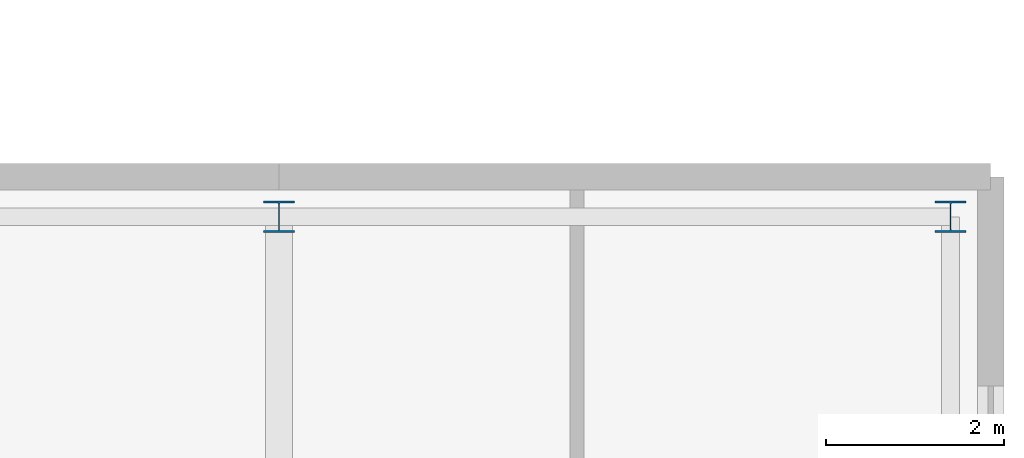
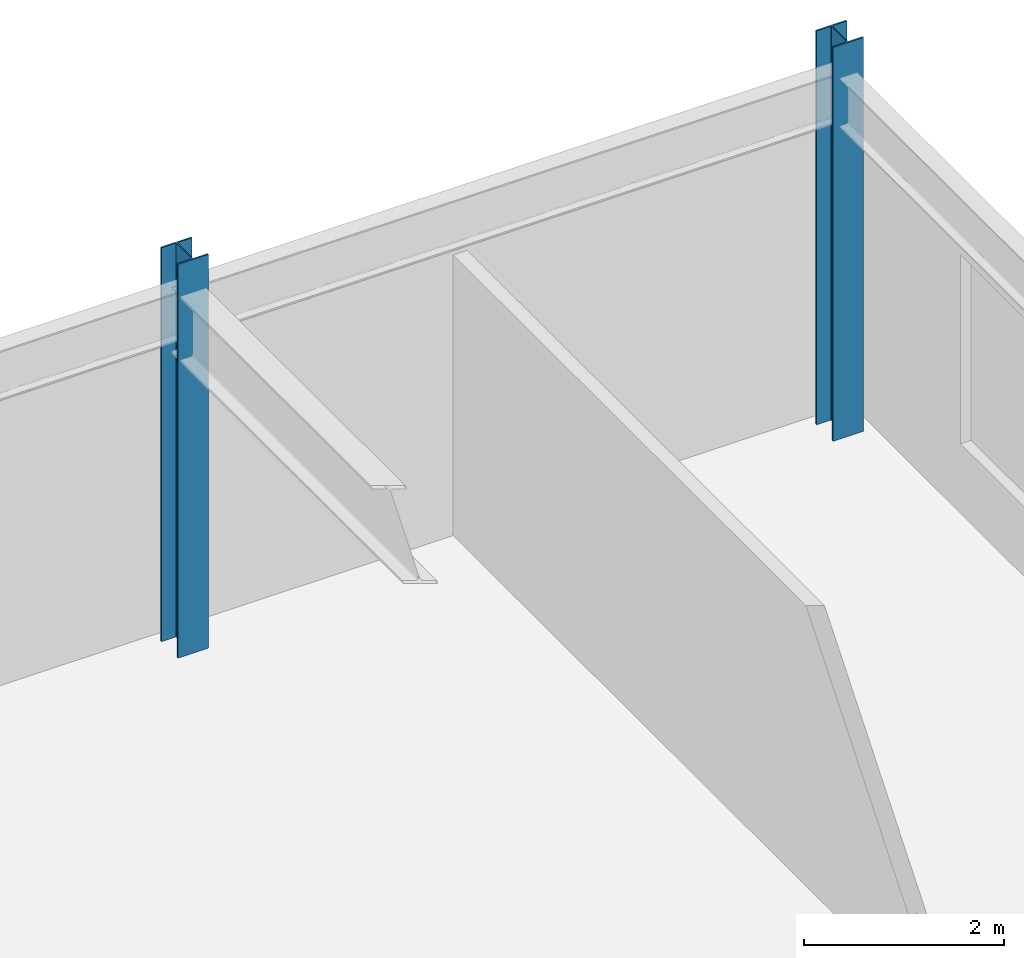
# One storey, part 4 of 21: 2 columns.
"""IFC4 building model written with IfcOpenShell, lengths in metres."""

import ifcopenshell
import ifcopenshell.guid

model = None  # the IFC model being written
_history = None  # IfcOwnerHistory: only IFC2X3 demands one
_inside = {}  # id of a spatial element -> (the spatial element, [elements in it])
_under = {}  # id of a project, library or spatial element -> (it, [spatial elements below it])
_declared = {}  # id of a project -> (the project, [libraries it declares])
_typed = {}  # id of a type object -> (the type object, [elements of that type])
_made_of = {}  # id of a material, layer set ... -> (it, [elements and type objects made of it])


def new_model(schema):
    """Start an empty IFC model of exactly this schema.

    Asked for "IFC4X3", IfcOpenShell would pick the latest addendum, in which some entities
    have other attributes; the version numbers below select the first issue.
    IFC2X3 requires an IfcOwnerHistory on every rooted entity: one is made here for all.
    """
    global model, _history
    if schema == "IFC4X3":
        model = ifcopenshell.file(schema_version=(4, 3, 0, 0))
    else:
        model = ifcopenshell.file(schema=schema)
    _inside.clear()
    _under.clear()
    _declared.clear()
    _typed.clear()
    _made_of.clear()
    _history = None
    if model.schema == "IFC2X3":
        org = make("IfcOrganization", Name="unknown")
        user = make(
            "IfcPersonAndOrganization",
            ThePerson=make("IfcPerson", FamilyName="unknown"),
            TheOrganization=org,
        )
        app = make(
            "IfcApplication",
            ApplicationDeveloper=org,
            Version="unknown",
            ApplicationFullName="unknown",
            ApplicationIdentifier="unknown",
        )
        _history = make(
            "IfcOwnerHistory",
            OwningUser=user,
            OwningApplication=app,
            ChangeAction="ADDED",
            CreationDate=0,
        )
    return model


def make(cls, **values):
    """One entity of the class cls with the attributes given. An attribute that is None is left unset."""
    return model.create_entity(
        cls, **{name: value for name, value in values.items() if value is not None}
    )


def rooted(cls, **values):
    """An entity with a GlobalId (a new one), such as an element, a storey or a relation."""
    return make(cls, GlobalId=ifcopenshell.guid.new(), OwnerHistory=_history, **values)


def si_unit(unit_type, name, prefix=None):
    """IfcSIUnit, for example si_unit("LENGTHUNIT", "METRE", prefix="MILLI")."""
    return make("IfcSIUnit", UnitType=unit_type, Prefix=prefix, Name=name)


def assignment(units):
    """IfcUnitAssignment: the units of a project."""
    return None if units is None else make("IfcUnitAssignment", Units=units)


def point(xyz):
    """IfcCartesianPoint."""
    return None if xyz is None else make("IfcCartesianPoint", Coordinates=xyz)


def direction(xyz):
    """IfcDirection."""
    return None if xyz is None else make("IfcDirection", DirectionRatios=xyz)


def frame(location, z_axis=None, x_axis=None):
    """IfcAxis2Placement3D, a coordinate frame: its origin and axes. An axis left out is left unset."""
    return make(
        "IfcAxis2Placement3D",
        Location=point(location),
        Axis=direction(z_axis),
        RefDirection=direction(x_axis),
    )


def frame_2d(location, x_axis=None):
    """IfcAxis2Placement2D, a coordinate frame in the plane: its origin and x axis."""
    return make(
        "IfcAxis2Placement2D", Location=point(location), RefDirection=direction(x_axis)
    )


def origin():
    """The frame at (0, 0, 0) with its axes left unset."""
    return frame((0.0, 0.0, 0.0))


def origin_2d():
    """The frame at (0, 0) in the plane with its x axis left unset."""
    return frame_2d((0.0, 0.0))


def place(relative_to, where):
    """IfcLocalPlacement: puts the frame where relative to a parent placement (None: the world)."""
    return make(
        "IfcLocalPlacement", PlacementRelTo=relative_to, RelativePlacement=where
    )


def context(
    kind, dimensions, precision=None, world=None, true_north=None, identifier=None
):
    """IfcGeometricRepresentationContext, for example the 3D "Model" context."""
    return make(
        "IfcGeometricRepresentationContext",
        ContextIdentifier=identifier,
        ContextType=kind,
        CoordinateSpaceDimension=dimensions,
        Precision=precision,
        WorldCoordinateSystem=world,
        TrueNorth=true_north,
    )


def subcontext(parent, identifier, kind, view, scale=None):
    """IfcGeometricRepresentationSubContext, for example "Body" below "Model"."""
    return make(
        "IfcGeometricRepresentationSubContext",
        ContextIdentifier=identifier,
        ContextType=kind,
        ParentContext=parent,
        TargetScale=scale,
        TargetView=view,
    )


def project(units=None, contexts=None):
    """IfcProject with its units and contexts."""
    return rooted(
        "IfcProject",
        Name="project",
        RepresentationContexts=contexts,
        UnitsInContext=assignment(units),
    )


def spatial(cls, under=None, at=None, **own):
    """A site, building, storey or space (cls), placed at a placement, below another one or the project."""
    s = rooted(cls, ObjectPlacement=at, **own)
    if under is not None:
        _under.setdefault(under.id(), (under, []))[1].append(s)
    return s


def profile(cls, at=None, kind="AREA", **sizes):
    """A parametric profile (cls). Its sizes go by their IFC names, for example OverallWidth=200.0."""
    return make(cls, ProfileType=kind, Position=at, **sizes)


def i_section(**sizes):
    """IfcIShapeProfileDef."""
    return profile("IfcIShapeProfileDef", **sizes)


def extrude(swept, where, along, depth):
    """IfcExtrudedAreaSolid: the profile swept, set in the frame where, extruded along a direction by depth."""
    return make(
        "IfcExtrudedAreaSolid",
        SweptArea=swept,
        Position=where,
        ExtrudedDirection=direction(along),
        Depth=depth,
    )


def shape(context_of_items, identifier, shape_type, items):
    """IfcShapeRepresentation: the items that make up one representation, for example the "Body"."""
    return make(
        "IfcShapeRepresentation",
        ContextOfItems=context_of_items,
        RepresentationIdentifier=identifier,
        RepresentationType=shape_type,
        Items=items,
    )


def material(Name=None, Category=None):
    """IfcMaterial."""
    return make("IfcMaterial", Name=Name, Category=Category)


def material_profile(
    of_material, cross_section, Name=None, Category=None, Priority=None
):
    """IfcMaterialProfile: a cross section and its material."""
    return make(
        "IfcMaterialProfile",
        Name=Name,
        Material=of_material,
        Profile=cross_section,
        Priority=Priority,
        Category=Category,
    )


def profile_set(profiles, Name=None, composite=None):
    """IfcMaterialProfileSet."""
    return make(
        "IfcMaterialProfileSet",
        Name=Name,
        MaterialProfiles=profiles,
        CompositeProfile=composite,
    )


def made_of(thing, what):
    """Note that an element or type object is made of a material, layer set ...; save() writes the relation."""
    if what is not None:
        _made_of.setdefault(what.id(), (what, []))[1].append(thing)
    return thing


def type_object(cls, material=None, **own):
    """A type object (cls), such as IfcWallType, which elements share."""
    return made_of(rooted(cls, **own), material)


def element(
    cls,
    number,
    at=None,
    inside=None,
    cuts=None,
    type_object=None,
    material=None,
    context=None,
    identifier="Body",
    shape_type=None,
    held_by="IfcProductDefinitionShape",
    body=None,
    shapes=None,
    **own,
):
    """One element of the class cls, such as IfcWall. Its Tag is "e" and its number.

    at: its placement. inside: the storey or other place that contains it. cuts: it is an
    opening in that element (IfcRelVoidsElement). A single representation is given by context,
    identifier, shape_type and body (its items); several are given by shapes. held_by: the class
    of the entity that holds the representations. save() writes the other relations.
    """
    e = rooted(cls, Tag="e%d" % number, ObjectPlacement=at, **own)
    if body is not None:
        shapes = [shape(context, identifier, shape_type, body)]
    if shapes is not None:
        e.Representation = make(held_by, Representations=shapes)
    if inside is not None:
        _inside.setdefault(inside.id(), (inside, []))[1].append(e)
    if cuts is not None:
        rooted(
            "IfcRelVoidsElement", RelatingBuildingElement=cuts, RelatedOpeningElement=e
        )
    if type_object is not None:
        _typed.setdefault(type_object.id(), (type_object, []))[1].append(e)
    return made_of(e, material)


def aggregate(whole, parts):
    """IfcRelAggregates: a whole, such as a stair, and the parts it consists of."""
    return rooted("IfcRelAggregates", RelatingObject=whole, RelatedObjects=parts)


def save(model, path):
    """Write the relations noted so far, then the file.

    IfcRelAggregates (storeys below a building ...), IfcRelContainedInSpatialStructure (elements
    in a storey), IfcRelDefinesByType, IfcRelAssociatesMaterial and IfcRelDeclares: one each for
    every whole, place, type object, material and project.
    """
    for whole, parts in _under.values():
        aggregate(whole, parts)
    for where, things in _inside.values():
        rooted(
            "IfcRelContainedInSpatialStructure",
            RelatedElements=things,
            RelatingStructure=where,
        )
    for kind, things in _typed.values():
        rooted("IfcRelDefinesByType", RelatedObjects=things, RelatingType=kind)
    for what, things in _made_of.values():
        rooted("IfcRelAssociatesMaterial", RelatedObjects=things, RelatingMaterial=what)
    for by, libraries in _declared.values():
        rooted("IfcRelDeclares", RelatingContext=by, RelatedDefinitions=libraries)
    model.write(path)


model = new_model("IFC4")

# Units and contexts
model_context = context("Model", 3, precision=1e-05, world=origin(), true_north=direction((0.0, 1.0)))
body_context = subcontext(model_context, "Body", "Model", "MODEL_VIEW")
ifc_project = project(units=[si_unit("LENGTHUNIT", "METRE"), si_unit("AREAUNIT", "SQUARE_METRE"), si_unit("VOLUMEUNIT", "CUBIC_METRE"), si_unit("PLANEANGLEUNIT", "RADIAN"), si_unit("MASSUNIT", "GRAM", prefix="KILO")], contexts=[model_context])

# Site, building, storey
site_placement = place(None, origin())
site = spatial("IfcSite", under=ifc_project, at=site_placement, CompositionType="ELEMENT")
building_placement = place(site_placement, origin())
building = spatial("IfcBuilding", under=site, at=building_placement, Name="Veldorina Hangang Commons", CompositionType="ELEMENT")
storey_placement = place(building_placement, frame((0.0, 0.0, 19.60009765625)))
storey = spatial("IfcBuildingStorey", under=building, at=storey_placement, Name="L04", CompositionType="ELEMENT", Elevation=19.60009765625)

# Columns
ifc_material = material(Name="Steel SM420-TMC", Category="steel")
ifc_material_profile = material_profile(ifc_material, i_section(OverallWidth=0.35009765625, OverallDepth=0.35009765625, WebThickness=0.011962890625, FlangeThickness=0.01904296875, FilletRadius=0.01611328125, at=origin_2d()), Name="H-350x350x12x19")
ifc_profile_set = profile_set([ifc_material_profile], Name="Steel SM420-TMC")
column_type = type_object("IfcColumnType", Name="COL-H350", PredefinedType="COLUMN", material=ifc_profile_set)
for number, where, z_axis, x_axis, name in (
    (1, (52.0, 44.550048828125, 0.0), (0.0, 0.0, 1.0), (1.0, 0.0, 0.0), "L04 structural column N6"),
    (2, (59.550048828125, 44.550048828125, 0.0), (0.0, 0.0, 1.0), (1.0, 0.0, 0.0), "L04 structural column N7"),
):
    element("IfcColumn", number, at=place(storey_placement, frame(where, z_axis=z_axis, x_axis=x_axis)), inside=storey, type_object=column_type, Name=name, PredefinedType="COLUMN", context=body_context, shape_type="SweptSolid", body=[
        extrude(i_section(OverallWidth=0.35009765625, OverallDepth=0.35009765625, WebThickness=0.011962890625, FlangeThickness=0.01904296875, FilletRadius=0.01611328125, at=origin_2d()), origin(), (0.0, 0.0, 1.0), 4.7998046875),
    ])

save(model, "model.ifc")
